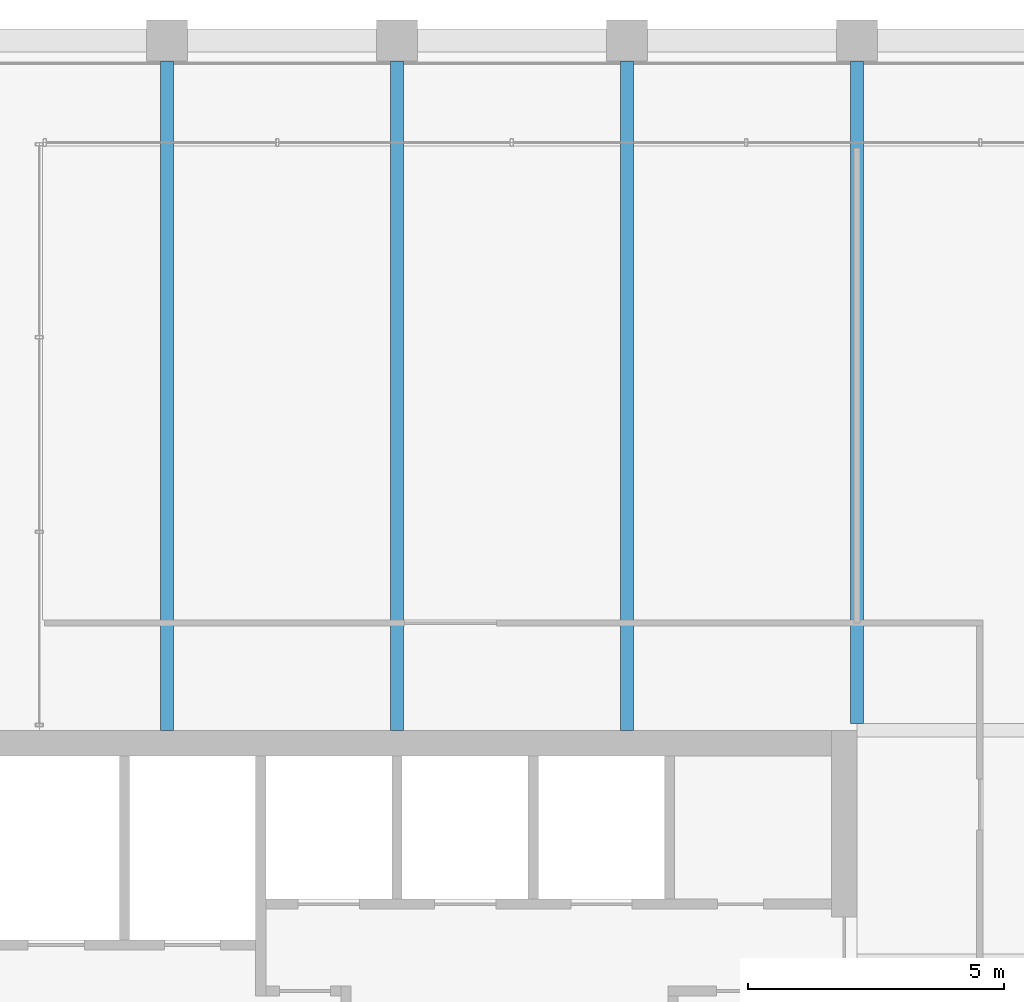
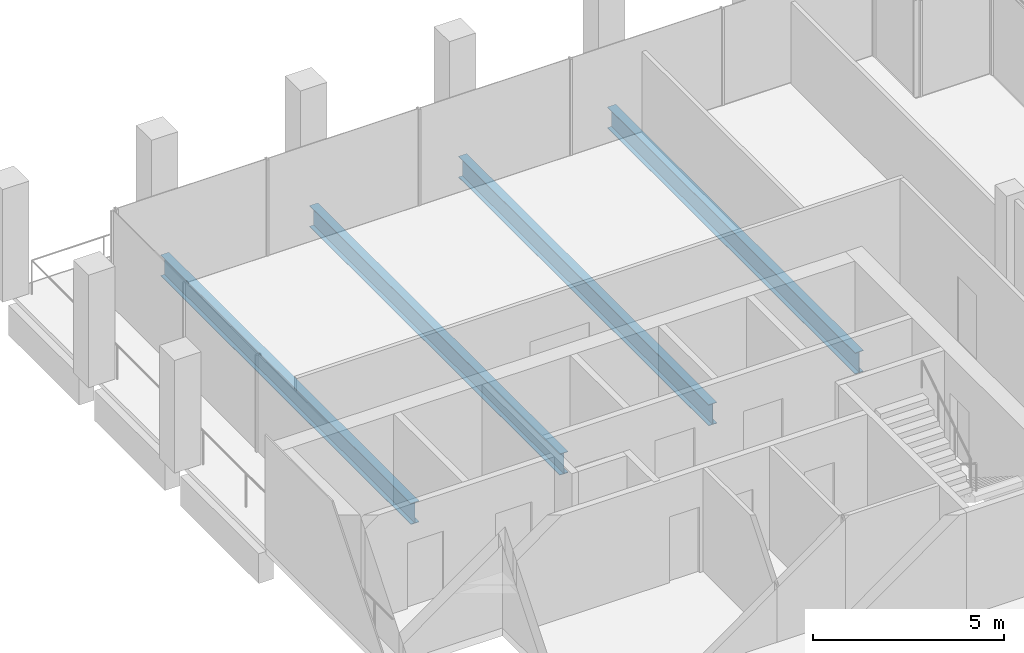
# One storey, part 22 of 30: 4 beams.
"""IFC4 building model written with IfcOpenShell, lengths in metres."""

from ifc_helpers import new_model, si_unit, direction, frame, origin, origin_2d, place, context, subcontext, project, spatial, i_section, extrude, material, material_profile, profile_set, type_object, element, save


model = new_model("IFC4")

# Units and contexts
model_context = context("Model", 3, precision=1e-05, world=origin(), true_north=direction((0.0, 1.0)))
body_context = subcontext(model_context, "Body", "Model", "MODEL_VIEW")
ifc_project = project(units=[si_unit("LENGTHUNIT", "METRE"), si_unit("AREAUNIT", "SQUARE_METRE"), si_unit("VOLUMEUNIT", "CUBIC_METRE"), si_unit("PLANEANGLEUNIT", "RADIAN"), si_unit("MASSUNIT", "GRAM", prefix="KILO")], contexts=[model_context])

# Site, building, storey
site_placement = place(None, origin())
site = spatial("IfcSite", under=ifc_project, at=site_placement, CompositionType="ELEMENT")
building_placement = place(site_placement, origin())
building = spatial("IfcBuilding", under=site, at=building_placement, Name="Altepetl Exchange Towers", CompositionType="ELEMENT")
storey_placement = place(building_placement, frame((0.0, 0.0, 242.39990234375)))
storey = spatial("IfcBuildingStorey", under=building, at=storey_placement, Name="L62", CompositionType="ELEMENT", Elevation=242.39990234375)

# Beams
ifc_material = material(Name="Steel S355", Category="steel")
ifc_material_profile = material_profile(ifc_material, i_section(OverallWidth=0.2529296875, OverallDepth=0.677978515625, WebThickness=0.01171875, FlangeThickness=0.016357421875, at=origin_2d()), Name="W27X84")
ifc_profile_set = profile_set([ifc_material_profile], Name="Steel S355")
beam_type = type_object("IfcBeamType", Name="Floor beam W27X84", PredefinedType="BEAM", material=ifc_profile_set)
for number, where, z_axis, x_axis, name in (
    (1, (45.0, 58.5, -0.489013671875), (0.0, 1.0, 0.0), (-1.0, 0.0, 0.0), "bm:A:L62:000"),
    (2, (49.5, 58.5, -0.489013671875), (0.0, 1.0, 0.0), (-1.0, 0.0, 0.0), "bm:A:L62:001"),
    (3, (54.0, 58.5, -0.489013671875), (0.0, 1.0, 0.0), (-1.0, 0.0, 0.0), "bm:A:L62:002"),
):
    element("IfcBeam", number, at=place(storey_placement, frame(where, z_axis=z_axis, x_axis=x_axis)), inside=storey, type_object=beam_type, Name=name, PredefinedType="BEAM", context=body_context, shape_type="SweptSolid", body=[
        extrude(i_section(OverallWidth=0.2529296875, OverallDepth=0.677978515625, WebThickness=0.01171875, FlangeThickness=0.016357421875, at=origin_2d()), origin(), (0.0, 0.0, 1.0), 13.10009765625),
    ])
beam_placement = place(storey_placement, frame((58.5, 58.634033203125, -0.489013671875), z_axis=(0.0, 1.0, 0.0), x_axis=(-1.0, 0.0, 0.0)))
element("IfcBeam", 4, at=beam_placement, inside=storey, type_object=beam_type, Name="bm:A:L62:003", PredefinedType="BEAM", context=body_context, shape_type="SweptSolid", body=[
    extrude(i_section(OverallWidth=0.2529296875, OverallDepth=0.677978515625, WebThickness=0.01171875, FlangeThickness=0.016357421875, at=origin_2d()), origin(), (0.0, 0.0, 1.0), 12.966064453125),
])

save(model, "model.ifc")
